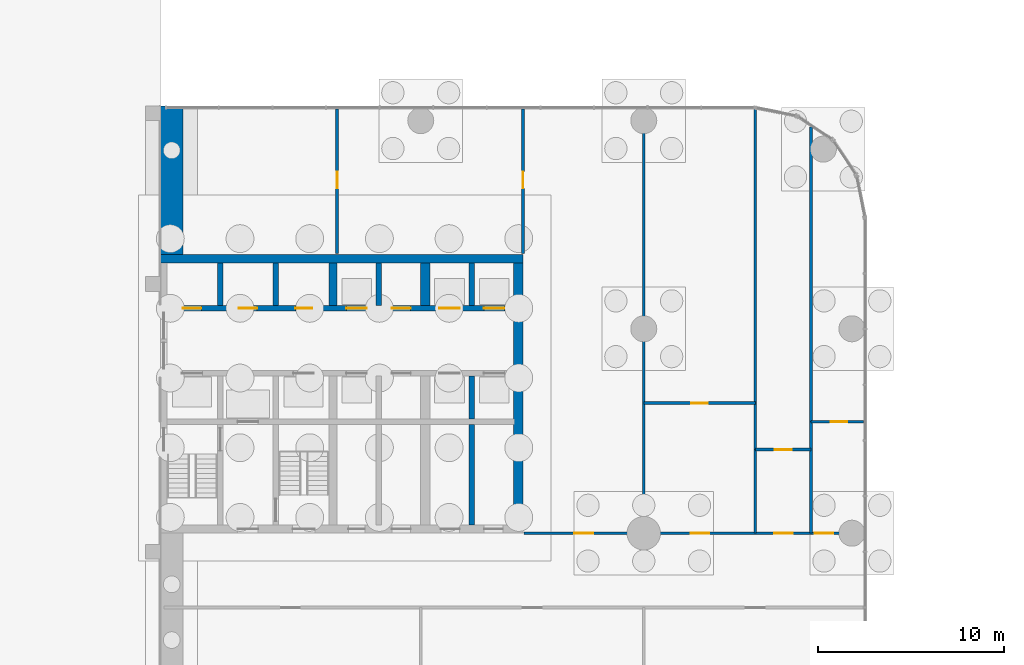
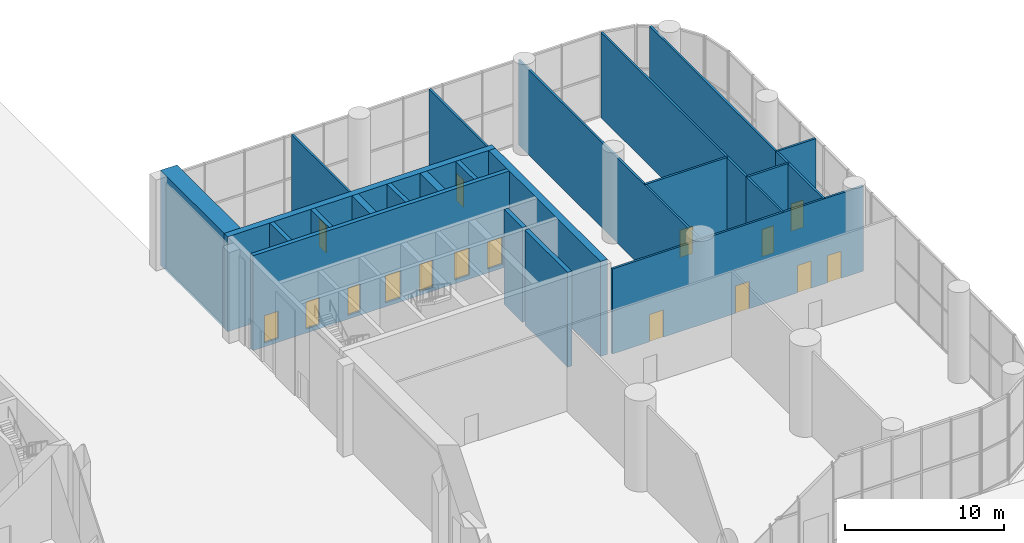
# One storey, part 21 of 26: 23 walls, 16 doors, 16 openings.
"""IFC4 building model written with IfcOpenShell, lengths in metres."""

import ifcopenshell
import ifcopenshell.guid

model = None  # the IFC model being written
_history = None  # IfcOwnerHistory: only IFC2X3 demands one
_inside = {}  # id of a spatial element -> (the spatial element, [elements in it])
_under = {}  # id of a project, library or spatial element -> (it, [spatial elements below it])
_declared = {}  # id of a project -> (the project, [libraries it declares])
_typed = {}  # id of a type object -> (the type object, [elements of that type])
_made_of = {}  # id of a material, layer set ... -> (it, [elements and type objects made of it])


def new_model(schema):
    """Start an empty IFC model of exactly this schema.

    Asked for "IFC4X3", IfcOpenShell would pick the latest addendum, in which some entities
    have other attributes; the version numbers below select the first issue.
    IFC2X3 requires an IfcOwnerHistory on every rooted entity: one is made here for all.
    """
    global model, _history
    if schema == "IFC4X3":
        model = ifcopenshell.file(schema_version=(4, 3, 0, 0))
    else:
        model = ifcopenshell.file(schema=schema)
    _inside.clear()
    _under.clear()
    _declared.clear()
    _typed.clear()
    _made_of.clear()
    _history = None
    if model.schema == "IFC2X3":
        org = make("IfcOrganization", Name="unknown")
        user = make(
            "IfcPersonAndOrganization",
            ThePerson=make("IfcPerson", FamilyName="unknown"),
            TheOrganization=org,
        )
        app = make(
            "IfcApplication",
            ApplicationDeveloper=org,
            Version="unknown",
            ApplicationFullName="unknown",
            ApplicationIdentifier="unknown",
        )
        _history = make(
            "IfcOwnerHistory",
            OwningUser=user,
            OwningApplication=app,
            ChangeAction="ADDED",
            CreationDate=0,
        )
    return model


def make(cls, **values):
    """One entity of the class cls with the attributes given. An attribute that is None is left unset."""
    return model.create_entity(
        cls, **{name: value for name, value in values.items() if value is not None}
    )


def rooted(cls, **values):
    """An entity with a GlobalId (a new one), such as an element, a storey or a relation."""
    return make(cls, GlobalId=ifcopenshell.guid.new(), OwnerHistory=_history, **values)


def si_unit(unit_type, name, prefix=None):
    """IfcSIUnit, for example si_unit("LENGTHUNIT", "METRE", prefix="MILLI")."""
    return make("IfcSIUnit", UnitType=unit_type, Prefix=prefix, Name=name)


def assignment(units):
    """IfcUnitAssignment: the units of a project."""
    return None if units is None else make("IfcUnitAssignment", Units=units)


def point(xyz):
    """IfcCartesianPoint."""
    return None if xyz is None else make("IfcCartesianPoint", Coordinates=xyz)


def direction(xyz):
    """IfcDirection."""
    return None if xyz is None else make("IfcDirection", DirectionRatios=xyz)


def frame(location, z_axis=None, x_axis=None):
    """IfcAxis2Placement3D, a coordinate frame: its origin and axes. An axis left out is left unset."""
    return make(
        "IfcAxis2Placement3D",
        Location=point(location),
        Axis=direction(z_axis),
        RefDirection=direction(x_axis),
    )


def frame_2d(location, x_axis=None):
    """IfcAxis2Placement2D, a coordinate frame in the plane: its origin and x axis."""
    return make(
        "IfcAxis2Placement2D", Location=point(location), RefDirection=direction(x_axis)
    )


def origin():
    """The frame at (0, 0, 0) with its axes left unset."""
    return frame((0.0, 0.0, 0.0))


def place(relative_to, where):
    """IfcLocalPlacement: puts the frame where relative to a parent placement (None: the world)."""
    return make(
        "IfcLocalPlacement", PlacementRelTo=relative_to, RelativePlacement=where
    )


def context(
    kind, dimensions, precision=None, world=None, true_north=None, identifier=None
):
    """IfcGeometricRepresentationContext, for example the 3D "Model" context."""
    return make(
        "IfcGeometricRepresentationContext",
        ContextIdentifier=identifier,
        ContextType=kind,
        CoordinateSpaceDimension=dimensions,
        Precision=precision,
        WorldCoordinateSystem=world,
        TrueNorth=true_north,
    )


def subcontext(parent, identifier, kind, view, scale=None):
    """IfcGeometricRepresentationSubContext, for example "Body" below "Model"."""
    return make(
        "IfcGeometricRepresentationSubContext",
        ContextIdentifier=identifier,
        ContextType=kind,
        ParentContext=parent,
        TargetScale=scale,
        TargetView=view,
    )


def project(units=None, contexts=None):
    """IfcProject with its units and contexts."""
    return rooted(
        "IfcProject",
        Name="project",
        RepresentationContexts=contexts,
        UnitsInContext=assignment(units),
    )


def spatial(cls, under=None, at=None, **own):
    """A site, building, storey or space (cls), placed at a placement, below another one or the project."""
    s = rooted(cls, ObjectPlacement=at, **own)
    if under is not None:
        _under.setdefault(under.id(), (under, []))[1].append(s)
    return s


def profile(cls, at=None, kind="AREA", **sizes):
    """A parametric profile (cls). Its sizes go by their IFC names, for example OverallWidth=200.0."""
    return make(cls, ProfileType=kind, Position=at, **sizes)


def rectangle(**sizes):
    """IfcRectangleProfileDef."""
    return profile("IfcRectangleProfileDef", **sizes)


def extrude(swept, where, along, depth):
    """IfcExtrudedAreaSolid: the profile swept, set in the frame where, extruded along a direction by depth."""
    return make(
        "IfcExtrudedAreaSolid",
        SweptArea=swept,
        Position=where,
        ExtrudedDirection=direction(along),
        Depth=depth,
    )


def shape(context_of_items, identifier, shape_type, items):
    """IfcShapeRepresentation: the items that make up one representation, for example the "Body"."""
    return make(
        "IfcShapeRepresentation",
        ContextOfItems=context_of_items,
        RepresentationIdentifier=identifier,
        RepresentationType=shape_type,
        Items=items,
    )


def material(Name=None, Category=None):
    """IfcMaterial."""
    return make("IfcMaterial", Name=Name, Category=Category)


def layer(
    of_material, thickness, ventilated=None, Name=None, Category=None, Priority=None
):
    """IfcMaterialLayer: one layer of a wall or slab, of a material (None: an air gap)."""
    return make(
        "IfcMaterialLayer",
        Material=of_material,
        LayerThickness=thickness,
        IsVentilated=ventilated,
        Name=Name,
        Category=Category,
        Priority=Priority,
    )


def layer_set(layers, Name=None):
    """IfcMaterialLayerSet."""
    return make("IfcMaterialLayerSet", MaterialLayers=layers, LayerSetName=Name)


def made_of(thing, what):
    """Note that an element or type object is made of a material, layer set ...; save() writes the relation."""
    if what is not None:
        _made_of.setdefault(what.id(), (what, []))[1].append(thing)
    return thing


def type_object(cls, material=None, **own):
    """A type object (cls), such as IfcWallType, which elements share."""
    return made_of(rooted(cls, **own), material)


def element(
    cls,
    number,
    at=None,
    inside=None,
    cuts=None,
    type_object=None,
    material=None,
    context=None,
    identifier="Body",
    shape_type=None,
    held_by="IfcProductDefinitionShape",
    body=None,
    shapes=None,
    **own,
):
    """One element of the class cls, such as IfcWall. Its Tag is "e" and its number.

    at: its placement. inside: the storey or other place that contains it. cuts: it is an
    opening in that element (IfcRelVoidsElement). A single representation is given by context,
    identifier, shape_type and body (its items); several are given by shapes. held_by: the class
    of the entity that holds the representations. save() writes the other relations.
    """
    e = rooted(cls, Tag="e%d" % number, ObjectPlacement=at, **own)
    if body is not None:
        shapes = [shape(context, identifier, shape_type, body)]
    if shapes is not None:
        e.Representation = make(held_by, Representations=shapes)
    if inside is not None:
        _inside.setdefault(inside.id(), (inside, []))[1].append(e)
    if cuts is not None:
        rooted(
            "IfcRelVoidsElement", RelatingBuildingElement=cuts, RelatedOpeningElement=e
        )
    if type_object is not None:
        _typed.setdefault(type_object.id(), (type_object, []))[1].append(e)
    return made_of(e, material)


def fill(opening, filler):
    """IfcRelFillsElement: the door or window that sits in an opening."""
    return rooted(
        "IfcRelFillsElement",
        RelatingOpeningElement=opening,
        RelatedBuildingElement=filler,
    )


def aggregate(whole, parts):
    """IfcRelAggregates: a whole, such as a stair, and the parts it consists of."""
    return rooted("IfcRelAggregates", RelatingObject=whole, RelatedObjects=parts)


def save(model, path):
    """Write the relations noted so far, then the file.

    IfcRelAggregates (storeys below a building ...), IfcRelContainedInSpatialStructure (elements
    in a storey), IfcRelDefinesByType, IfcRelAssociatesMaterial and IfcRelDeclares: one each for
    every whole, place, type object, material and project.
    """
    for whole, parts in _under.values():
        aggregate(whole, parts)
    for where, things in _inside.values():
        rooted(
            "IfcRelContainedInSpatialStructure",
            RelatedElements=things,
            RelatingStructure=where,
        )
    for kind, things in _typed.values():
        rooted("IfcRelDefinesByType", RelatedObjects=things, RelatingType=kind)
    for what, things in _made_of.values():
        rooted("IfcRelAssociatesMaterial", RelatedObjects=things, RelatingMaterial=what)
    for by, libraries in _declared.values():
        rooted("IfcRelDeclares", RelatingContext=by, RelatedDefinitions=libraries)
    model.write(path)


model = new_model("IFC4")

# Units and contexts
model_context = context("Model", 3, precision=1e-05, world=origin(), true_north=direction((0.0, 1.0)))
body_context = subcontext(model_context, "Body", "Model", "MODEL_VIEW")
ifc_project = project(units=[si_unit("LENGTHUNIT", "METRE"), si_unit("AREAUNIT", "SQUARE_METRE"), si_unit("VOLUMEUNIT", "CUBIC_METRE"), si_unit("PLANEANGLEUNIT", "RADIAN"), si_unit("MASSUNIT", "GRAM", prefix="KILO")], contexts=[model_context])

# Site, building, storey
site_placement = place(None, origin())
site = spatial("IfcSite", under=ifc_project, at=site_placement, CompositionType="ELEMENT")
building_placement = place(site_placement, origin())
building = spatial("IfcBuilding", under=site, at=building_placement, Name="Torana Hotel and Residences", CompositionType="ELEMENT")
storey_placement = place(building_placement, origin())
storey = spatial("IfcBuildingStorey", under=building, at=storey_placement, Name="L00", CompositionType="ELEMENT", Elevation=0.0)

# Wall
ifc_material_1 = material(Name="Concrete C70/85", Category="concrete")
ifc_layer_1 = layer(ifc_material_1, 1.199951171875)
ifc_layer_set_1 = layer_set([ifc_layer_1], Name="CORE WALL 1200 C70/85")
wall_type_1 = type_object("IfcWallType", Name="CORE WALL 1200 C70/85", PredefinedType="SHEAR", material=ifc_layer_set_1)
wall_1_placement = place(storey_placement, frame((10.60009765625, 0.0, -0.300048828125), z_axis=(0.0, 0.0, 1.0), x_axis=(0.0, 1.0, 0.0)))
element("IfcWall", 1, at=wall_1_placement, inside=storey, type_object=wall_type_1, Name="Arch jamb wall E", PredefinedType="SHEAR", context=body_context, shape_type="SweptSolid", body=[
    extrude(rectangle(XDim=8.0, YDim=1.199951171875, at=frame_2d((4.0, 0.0))), origin(), (0.0, 0.0, 1.0), 7.300048828125),
])

# Wall, openings, doors
ifc_material_2 = material(Name="Concrete C80/95", Category="concrete")
ifc_layer_2 = layer(ifc_material_2, 0.300048828125)
ifc_layer_set_2 = layer_set([ifc_layer_2], Name="CORE WALL 300 C80/95")
wall_type_2 = type_object("IfcWallType", Name="CORE WALL 300 C80/95", PredefinedType="SHEAR", material=ifc_layer_set_2)
wall_2_placement = place(storey_placement, frame((10.35009765625, -2.89990234375, -0.300048828125), z_axis=(0.0, 0.0, 1.0), x_axis=(1.0, 0.0, 0.0)))
wall_2 = element("IfcWall", 2, at=wall_2_placement, inside=storey, type_object=wall_type_2, Name="Core wall E row-N", PredefinedType="SHEAR", context=body_context, shape_type="SweptSolid", body=[
    extrude(rectangle(XDim=18.699951171875, YDim=0.300048828125, at=frame_2d((9.35009765625, 0.0))), origin(), (0.0, 0.0, 1.0), 7.300048828125),
])
opening_1_placement = place(wall_2_placement, frame((14.64990234375, 0.0, 0.300048828125)))
opening_1 = element("IfcOpeningElement", 3, at=opening_1_placement, cuts=wall_2, Name="Opening LD", PredefinedType="OPENING", context=body_context, shape_type="SweptSolid", body=[
    extrude(rectangle(XDim=1.10009765625, YDim=2.10009765625, at=frame_2d((0.550048828125, 1.050048828125))), frame((0.0, 0.159912109375, 0.0), z_axis=(0.0, -1.0, 0.0), x_axis=(1.0, 0.0, 0.0)), (0.0, 0.0, 1.0), 0.320068359375),
])
opening_2_placement = place(wall_2_placement, frame((17.050048828125, 0.0, 0.300048828125)))
opening_2 = element("IfcOpeningElement", 4, at=opening_2_placement, cuts=wall_2, Name="Opening LD", PredefinedType="OPENING", context=body_context, shape_type="SweptSolid", body=[
    extrude(rectangle(XDim=1.10009765625, YDim=2.10009765625, at=frame_2d((0.550048828125, 1.050048828125))), frame((0.0, 0.159912109375, 0.0), z_axis=(0.0, -1.0, 0.0), x_axis=(1.0, 0.0, 0.0)), (0.0, 0.0, 1.0), 0.320068359375),
])
opening_3_placement = place(wall_2_placement, frame((9.64990234375, 0.0, 0.300048828125)))
opening_3 = element("IfcOpeningElement", 5, at=opening_3_placement, cuts=wall_2, Name="Opening LD", PredefinedType="OPENING", context=body_context, shape_type="SweptSolid", body=[
    extrude(rectangle(XDim=1.10009765625, YDim=2.10009765625, at=frame_2d((0.550048828125, 1.050048828125))), frame((0.0, 0.159912109375, 0.0), z_axis=(0.0, -1.0, 0.0), x_axis=(1.0, 0.0, 0.0)), (0.0, 0.0, 1.0), 0.320068359375),
])
opening_4_placement = place(wall_2_placement, frame((6.89990234375, 0.0, 0.300048828125)))
opening_4 = element("IfcOpeningElement", 6, at=opening_4_placement, cuts=wall_2, Name="Opening L00-26", PredefinedType="OPENING", context=body_context, shape_type="SweptSolid", body=[
    extrude(rectangle(XDim=0.89990234375, YDim=2.10009765625, at=frame_2d((0.449951171875, 1.050048828125))), frame((0.0, 0.159912109375, 0.0), z_axis=(0.0, -1.0, 0.0), x_axis=(1.0, 0.0, 0.0)), (0.0, 0.0, 1.0), 0.320068359375),
])
opening_5_placement = place(wall_2_placement, frame((0.85009765625, 0.0, 0.300048828125)))
opening_5 = element("IfcOpeningElement", 7, at=opening_5_placement, cuts=wall_2, Name="Opening L00-27", PredefinedType="OPENING", context=body_context, shape_type="SweptSolid", body=[
    extrude(rectangle(XDim=1.0, YDim=2.10009765625, at=frame_2d((0.5, 1.050048828125))), frame((0.0, 0.159912109375, 0.0), z_axis=(0.0, -1.0, 0.0), x_axis=(1.0, 0.0, 0.0)), (0.0, 0.0, 1.0), 0.320068359375),
])
opening_6_placement = place(wall_2_placement, frame((3.85009765625, 0.0, 0.300048828125)))
opening_6 = element("IfcOpeningElement", 8, at=opening_6_placement, cuts=wall_2, Name="Opening L00-28", PredefinedType="OPENING", context=body_context, shape_type="SweptSolid", body=[
    extrude(rectangle(XDim=1.0, YDim=2.10009765625, at=frame_2d((0.5, 1.050048828125))), frame((0.0, 0.159912109375, 0.0), z_axis=(0.0, -1.0, 0.0), x_axis=(1.0, 0.0, 0.0)), (0.0, 0.0, 1.0), 0.320068359375),
])
opening_7_placement = place(wall_2_placement, frame((12.10009765625, 0.0, 0.300048828125)))
opening_7 = element("IfcOpeningElement", 9, at=opening_7_placement, cuts=wall_2, Name="Opening L00-29", PredefinedType="OPENING", context=body_context, shape_type="SweptSolid", body=[
    extrude(rectangle(XDim=1.0, YDim=2.10009765625, at=frame_2d((0.5, 1.050048828125))), frame((0.0, 0.159912109375, 0.0), z_axis=(0.0, -1.0, 0.0), x_axis=(1.0, 0.0, 0.0)), (0.0, 0.0, 1.0), 0.320068359375),
])
ifc_material_3 = material(Name="Steel S235", Category="steel")
door_type_1 = type_object("IfcDoorType", Name="CORE ROOM FIRE DOOR D14 1000x2100", OperationType="SINGLE_SWING_LEFT", PredefinedType="DOOR", material=ifc_material_3)
door_1_placement = place(opening_5_placement, origin())
door_1 = element("IfcDoor", 10, at=door_1_placement, inside=storey, type_object=door_type_1, Name="N0 door L00", OperationType="SINGLE_SWING_RIGHT", OverallHeight=2.10009765625, OverallWidth=1.0, PredefinedType="DOOR", context=body_context, shape_type="SweptSolid", body=[
    extrude(rectangle(XDim=1.0, YDim=2.10009765625, at=frame_2d((0.5, 1.050048828125))), frame((0.0, 0.02490234375, 0.0), z_axis=(0.0, -1.0, 0.0), x_axis=(1.0, 0.0, 0.0)), (0.0, 0.0, 1.0), 0.050048828125),
])
fill(opening_5, door_1)
door_2_placement = place(opening_6_placement, origin())
door_2 = element("IfcDoor", 11, at=door_2_placement, inside=storey, type_object=door_type_1, Name="N1 door L00", OperationType="SINGLE_SWING_RIGHT", OverallHeight=2.10009765625, OverallWidth=1.0, PredefinedType="DOOR", context=body_context, shape_type="SweptSolid", body=[
    extrude(rectangle(XDim=1.0, YDim=2.10009765625, at=frame_2d((0.5, 1.050048828125))), frame((0.0, 0.02490234375, 0.0), z_axis=(0.0, -1.0, 0.0), x_axis=(1.0, 0.0, 0.0)), (0.0, 0.0, 1.0), 0.050048828125),
])
fill(opening_6, door_2)
door_3_placement = place(opening_7_placement, origin())
door_3 = element("IfcDoor", 12, at=door_3_placement, inside=storey, type_object=door_type_1, Name="Free-M3 door L00", OperationType="SINGLE_SWING_RIGHT", OverallHeight=2.10009765625, OverallWidth=1.0, PredefinedType="DOOR", context=body_context, shape_type="SweptSolid", body=[
    extrude(rectangle(XDim=1.0, YDim=2.10009765625, at=frame_2d((0.5, 1.050048828125))), frame((0.0, 0.02490234375, 0.0), z_axis=(0.0, -1.0, 0.0), x_axis=(1.0, 0.0, 0.0)), (0.0, 0.0, 1.0), 0.050048828125),
])
fill(opening_7, door_3)
ifc_material_4 = material(Name="Stainless steel 316", Category="steel")
door_type_2 = type_object("IfcDoorType", Name="LIFT LANDING DOOR LD 1100x2100", OperationType="DOUBLE_DOOR_SLIDING", PredefinedType="USERDEFINED", material=ifc_material_4)
door_4_placement = place(opening_1_placement, origin())
door_4 = element("IfcDoor", 13, at=door_4_placement, inside=storey, type_object=door_type_2, Name="Lift landing door L5 L00", ObjectType="LIFT LANDING DOOR", OperationType="DOUBLE_DOOR_SLIDING", OverallHeight=2.10009765625, OverallWidth=1.10009765625, PredefinedType="USERDEFINED", context=body_context, shape_type="SweptSolid", body=[
    extrude(rectangle(XDim=1.10009765625, YDim=2.10009765625, at=frame_2d((0.550048828125, 1.050048828125))), frame((0.0, 0.02490234375, 0.0), z_axis=(0.0, -1.0, 0.0), x_axis=(1.0, 0.0, 0.0)), (0.0, 0.0, 1.0), 0.050048828125),
])
fill(opening_1, door_4)
door_5_placement = place(opening_2_placement, origin())
door_5 = element("IfcDoor", 14, at=door_5_placement, inside=storey, type_object=door_type_2, Name="Lift landing door L6 L00", ObjectType="LIFT LANDING DOOR", OperationType="DOUBLE_DOOR_SLIDING", OverallHeight=2.10009765625, OverallWidth=1.10009765625, PredefinedType="USERDEFINED", context=body_context, shape_type="SweptSolid", body=[
    extrude(rectangle(XDim=1.10009765625, YDim=2.10009765625, at=frame_2d((0.550048828125, 1.050048828125))), frame((0.0, 0.02490234375, 0.0), z_axis=(0.0, -1.0, 0.0), x_axis=(1.0, 0.0, 0.0)), (0.0, 0.0, 1.0), 0.050048828125),
])
fill(opening_2, door_5)
door_6_placement = place(opening_3_placement, origin())
door_6 = element("IfcDoor", 15, at=door_6_placement, inside=storey, type_object=door_type_2, Name="Lift landing door S2 L00", ObjectType="LIFT LANDING DOOR", OperationType="DOUBLE_DOOR_SLIDING", OverallHeight=2.10009765625, OverallWidth=1.10009765625, PredefinedType="USERDEFINED", context=body_context, shape_type="SweptSolid", body=[
    extrude(rectangle(XDim=1.10009765625, YDim=2.10009765625, at=frame_2d((0.550048828125, 1.050048828125))), frame((0.0, 0.02490234375, 0.0), z_axis=(0.0, -1.0, 0.0), x_axis=(1.0, 0.0, 0.0)), (0.0, 0.0, 1.0), 0.050048828125),
])
fill(opening_3, door_6)
ifc_material_5 = material(Name="Steel S235", Category="steel")
door_type_3 = type_object("IfcDoorType", Name="RISER ACCESS DOOR D5 900x2100", OperationType="SINGLE_SWING_LEFT", PredefinedType="DOOR", material=ifc_material_5)
door_7_placement = place(opening_4_placement, origin())
door_7 = element("IfcDoor", 16, at=door_7_placement, inside=storey, type_object=door_type_3, Name="N2 door L00", OperationType="SINGLE_SWING_RIGHT", OverallHeight=2.10009765625, OverallWidth=0.89990234375, PredefinedType="DOOR", context=body_context, shape_type="SweptSolid", body=[
    extrude(rectangle(XDim=0.89990234375, YDim=2.10009765625, at=frame_2d((0.449951171875, 1.050048828125))), frame((0.0, 0.02490234375, 0.0), z_axis=(0.0, -1.0, 0.0), x_axis=(1.0, 0.0, 0.0)), (0.0, 0.0, 1.0), 0.050048828125),
])
fill(opening_4, door_7)

# Walls
for number, where, z_axis, x_axis, name in (
    (17, (13.199951171875, -2.75, -0.300048828125), (0.0, 0.0, 1.0), (0.0, 1.0, 0.0), "Core wall E x3.05-N"),
    (18, (16.199951171875, -2.75, -0.300048828125), (0.0, 0.0, 1.0), (0.0, 1.0, 0.0), "Core wall E x6.05-N"),
    (19, (21.75, -2.75, -0.300048828125), (0.0, 0.0, 1.0), (0.0, 1.0, 0.0), "Core wall E mm-N"),
    (20, (26.75, -2.75, -0.300048828125), (0.0, 0.0, 1.0), (0.0, 1.0, 0.0), "Core wall E ll-N"),
    (21, (26.75, -8.85009765625, -0.300048828125), (0.0, 0.0, 1.0), (0.0, 1.0, 0.0), "Core wall E ll-S"),
):
    element("IfcWall", number, at=place(storey_placement, frame(where, z_axis=z_axis, x_axis=x_axis)), inside=storey, type_object=wall_type_2, Name=name, PredefinedType="SHEAR", context=body_context, shape_type="SweptSolid", body=[
        extrude(rectangle(XDim=2.300048828125, YDim=0.300048828125, at=frame_2d((1.14990234375, 0.0))), origin(), (0.0, 0.0, 1.0), 7.300048828125),
    ])
wall_3_placement = place(storey_placement, frame((26.75, -14.550048828125, -0.300048828125), z_axis=(0.0, 0.0, 1.0), x_axis=(0.0, 1.0, 0.0)))
element("IfcWall", 22, at=wall_3_placement, inside=storey, type_object=wall_type_2, Name="Core wall E ll-band", PredefinedType="SHEAR", context=body_context, shape_type="SweptSolid", body=[
    extrude(rectangle(XDim=5.400146484375, YDim=0.300048828125, at=frame_2d((2.7001953125, 0.0))), origin(), (0.0, 0.0, 1.0), 7.300048828125),
])
ifc_material_6 = material(Name="Concrete C80/95", Category="concrete")
ifc_layer_3 = layer(ifc_material_6, 0.449951171875)
ifc_layer_set_3 = layer_set([ifc_layer_3], Name="CORE WALL 450 C80/95")
wall_type_3 = type_object("IfcWallType", Name="CORE WALL 450 C80/95", PredefinedType="SHEAR", material=ifc_layer_set_3)
wall_4_placement = place(storey_placement, frame((10.0, -0.22509765625, -0.300048828125), z_axis=(0.0, 0.0, 1.0), x_axis=(1.0, 0.0, 0.0)))
element("IfcWall", 23, at=wall_4_placement, inside=storey, type_object=wall_type_3, Name="Core wall E rear", PredefinedType="SHEAR", context=body_context, shape_type="SweptSolid", body=[
    extrude(rectangle(XDim=19.5, YDim=0.449951171875, at=frame_2d((9.75, 0.0))), origin(), (0.0, 0.0, 1.0), 7.300048828125),
])
wall_5_placement = place(storey_placement, frame((19.27490234375, -2.75, -0.300048828125), z_axis=(0.0, 0.0, 1.0), x_axis=(0.0, 1.0, 0.0)))
element("IfcWall", 24, at=wall_5_placement, inside=storey, type_object=wall_type_3, Name="Core wall E hm-N", PredefinedType="SHEAR", context=body_context, shape_type="SweptSolid", body=[
    extrude(rectangle(XDim=2.300048828125, YDim=0.449951171875, at=frame_2d((1.14990234375, 0.0))), origin(), (0.0, 0.0, 1.0), 7.300048828125),
])
ifc_material_7 = material(Name="Concrete C80/95", Category="concrete")
ifc_layer_4 = layer(ifc_material_7, 0.5)
ifc_layer_set_4 = layer_set([ifc_layer_4], Name="CORE WALL 500 C80/95")
wall_type_4 = type_object("IfcWallType", Name="CORE WALL 500 C80/95", PredefinedType="SHEAR", material=ifc_layer_set_4)
wall_6_placement = place(storey_placement, frame((29.25, -14.550048828125, -0.300048828125), z_axis=(0.0, 0.0, 1.0), x_axis=(0.0, 1.0, 0.0)))
element("IfcWall", 25, at=wall_6_placement, inside=storey, type_object=wall_type_4, Name="Core wall E outer", PredefinedType="SHEAR", context=body_context, shape_type="SweptSolid", body=[
    extrude(rectangle(XDim=14.10009765625, YDim=0.5, at=frame_2d((7.050048828125, 0.0))), origin(), (0.0, 0.0, 1.0), 7.300048828125),
])
wall_7_placement = place(storey_placement, frame((24.25, -2.75, -0.300048828125), z_axis=(0.0, 0.0, 1.0), x_axis=(0.0, 1.0, 0.0)))
element("IfcWall", 26, at=wall_7_placement, inside=storey, type_object=wall_type_4, Name="Core wall E ml-N", PredefinedType="SHEAR", context=body_context, shape_type="SweptSolid", body=[
    extrude(rectangle(XDim=2.300048828125, YDim=0.5, at=frame_2d((1.14990234375, 0.0))), origin(), (0.0, 0.0, 1.0), 7.300048828125),
])

# Wall, openings, doors
ifc_material_8 = material(Name="Gypsum plaster")
ifc_layer_5 = layer(ifc_material_8, 0.014892578125, Name="Plaster", Category="finish")
ifc_material_9 = material(Name="Concrete blockwork", Category="masonry")
ifc_layer_6 = layer(ifc_material_9, 0.1201171875, Name="Blockwork", Category="structure")
ifc_layer_7 = layer(ifc_material_8, 0.014892578125, Name="Plaster", Category="finish")
ifc_layer_set_5 = layer_set([ifc_layer_5, ifc_layer_6, ifc_layer_7], Name="FIRE PARTITION 150 BLOCKWORK")
wall_type_5 = type_object("IfcWallType", Name="FIRE PARTITION 150 BLOCKWORK", PredefinedType="PARTITIONING", material=ifc_layer_set_5)
wall_8_placement = place(storey_placement, frame((29.550048828125, -15.0, 0.0), z_axis=(0.0, 0.0, 1.0), x_axis=(1.0, 0.0, 0.0)))
wall_8 = element("IfcWall", 27, at=wall_8_placement, inside=storey, type_object=wall_type_5, Name="Partition L00", PredefinedType="PARTITIONING", context=body_context, shape_type="SweptSolid", body=[
    extrude(rectangle(XDim=18.27001953125, YDim=0.14990234375, at=frame_2d((9.135009765625, 0.0))), origin(), (0.0, 0.0, 1.0), 6.550048828125),
])
opening_8_placement = place(wall_8_placement, frame((15.64990234375, 0.0, 0.0)))
opening_8 = element("IfcOpeningElement", 28, at=opening_8_placement, cuts=wall_8, Name="Opening L00-36", PredefinedType="OPENING", context=body_context, shape_type="SweptSolid", body=[
    extrude(rectangle(XDim=1.0, YDim=2.10009765625, at=frame_2d((0.5, 1.050048828125))), frame((0.0, 0.0849609375, 0.0), z_axis=(0.0, -1.0, 0.0), x_axis=(1.0, 0.0, 0.0)), (0.0, 0.0, 1.0), 0.169921875),
])
opening_9_placement = place(wall_8_placement, frame((13.469970703125, 0.0, 0.0)))
opening_9 = element("IfcOpeningElement", 29, at=opening_9_placement, cuts=wall_8, Name="Opening L00-37", PredefinedType="OPENING", context=body_context, shape_type="SweptSolid", body=[
    extrude(rectangle(XDim=1.0, YDim=2.10009765625, at=frame_2d((0.5, 1.050048828125))), frame((0.0, 0.0849609375, 0.0), z_axis=(0.0, -1.0, 0.0), x_axis=(1.0, 0.0, 0.0)), (0.0, 0.0, 1.0), 0.169921875),
])
opening_10_placement = place(wall_8_placement, frame((8.969970703125, 0.0, 0.0)))
opening_10 = element("IfcOpeningElement", 30, at=opening_10_placement, cuts=wall_8, Name="Opening L00-38", PredefinedType="OPENING", context=body_context, shape_type="SweptSolid", body=[
    extrude(rectangle(XDim=1.0, YDim=2.10009765625, at=frame_2d((0.5, 1.050048828125))), frame((0.0, 0.0849609375, 0.0), z_axis=(0.0, -1.0, 0.0), x_axis=(1.0, 0.0, 0.0)), (0.0, 0.0, 1.0), 0.169921875),
])
opening_11_placement = place(wall_8_placement, frame((2.719970703125, 0.0, 0.0)))
opening_11 = element("IfcOpeningElement", 31, at=opening_11_placement, cuts=wall_8, Name="Opening L00-39", PredefinedType="OPENING", context=body_context, shape_type="SweptSolid", body=[
    extrude(rectangle(XDim=1.0, YDim=2.10009765625, at=frame_2d((0.5, 1.050048828125))), frame((0.0, 0.0849609375, 0.0), z_axis=(0.0, -1.0, 0.0), x_axis=(1.0, 0.0, 0.0)), (0.0, 0.0, 1.0), 0.169921875),
])
door_8_placement = place(opening_8_placement, origin())
door_8 = element("IfcDoor", 32, at=door_8_placement, inside=storey, type_object=door_type_1, Name="Door L00", OperationType="SINGLE_SWING_RIGHT", OverallHeight=2.10009765625, OverallWidth=1.0, PredefinedType="DOOR", context=body_context, shape_type="SweptSolid", body=[
    extrude(rectangle(XDim=1.0, YDim=2.10009765625, at=frame_2d((0.5, 1.050048828125))), frame((0.0, 0.02490234375, 0.0), z_axis=(0.0, -1.0, 0.0), x_axis=(1.0, 0.0, 0.0)), (0.0, 0.0, 1.0), 0.050048828125),
])
fill(opening_8, door_8)
door_9_placement = place(opening_9_placement, origin())
door_9 = element("IfcDoor", 33, at=door_9_placement, inside=storey, type_object=door_type_1, Name="Door L00", OperationType="SINGLE_SWING_RIGHT", OverallHeight=2.10009765625, OverallWidth=1.0, PredefinedType="DOOR", context=body_context, shape_type="SweptSolid", body=[
    extrude(rectangle(XDim=1.0, YDim=2.10009765625, at=frame_2d((0.5, 1.050048828125))), frame((0.0, 0.02490234375, 0.0), z_axis=(0.0, -1.0, 0.0), x_axis=(1.0, 0.0, 0.0)), (0.0, 0.0, 1.0), 0.050048828125),
])
fill(opening_9, door_9)
door_10_placement = place(opening_10_placement, origin())
door_10 = element("IfcDoor", 34, at=door_10_placement, inside=storey, type_object=door_type_1, Name="Door L00", OperationType="SINGLE_SWING_RIGHT", OverallHeight=2.10009765625, OverallWidth=1.0, PredefinedType="DOOR", context=body_context, shape_type="SweptSolid", body=[
    extrude(rectangle(XDim=1.0, YDim=2.10009765625, at=frame_2d((0.5, 1.050048828125))), frame((0.0, 0.02490234375, 0.0), z_axis=(0.0, -1.0, 0.0), x_axis=(1.0, 0.0, 0.0)), (0.0, 0.0, 1.0), 0.050048828125),
])
fill(opening_10, door_10)
door_11_placement = place(opening_11_placement, origin())
door_11 = element("IfcDoor", 35, at=door_11_placement, inside=storey, type_object=door_type_1, Name="Door L00", OperationType="SINGLE_SWING_RIGHT", OverallHeight=2.10009765625, OverallWidth=1.0, PredefinedType="DOOR", context=body_context, shape_type="SweptSolid", body=[
    extrude(rectangle(XDim=1.0, YDim=2.10009765625, at=frame_2d((0.5, 1.050048828125))), frame((0.0, 0.02490234375, 0.0), z_axis=(0.0, -1.0, 0.0), x_axis=(1.0, 0.0, 0.0)), (0.0, 0.0, 1.0), 0.050048828125),
])
fill(opening_11, door_11)

# Walls
ifc_material_10 = material(Name="Gypsum plasterboard")
ifc_layer_8 = layer(ifc_material_10, 0.012451171875, Name="Plasterboard", Category="finish")
ifc_layer_9 = layer(ifc_material_10, 0.012451171875, Name="Plasterboard", Category="finish")
ifc_material_11 = material(Name="Steel S280GD", Category="steel")
ifc_layer_10 = layer(ifc_material_11, 0.10009765625, Name="Steel studs with mineral wool", Category="insulation")
ifc_layer_11 = layer(ifc_material_10, 0.012451171875, Name="Plasterboard", Category="finish")
ifc_layer_12 = layer(ifc_material_10, 0.012451171875, Name="Plasterboard", Category="finish")
ifc_layer_set_6 = layer_set([ifc_layer_8, ifc_layer_9, ifc_layer_10, ifc_layer_11, ifc_layer_12], Name="PARTITION 150 PLASTERBOARD")
wall_type_6 = type_object("IfcWallType", Name="PARTITION 150 PLASTERBOARD", PredefinedType="PARTITIONING", material=ifc_layer_set_6)
wall_9_placement = place(storey_placement, frame((45.0, -9.0, 0.0), z_axis=(0.0, 0.0, 1.0), x_axis=(0.0, 1.0, 0.0)))
element("IfcWall", 36, at=wall_9_placement, inside=storey, type_object=wall_type_6, Name="Partition L00", PredefinedType="PARTITIONING", context=body_context, shape_type="SweptSolid", body=[
    extrude(rectangle(XDim=15.8564453125, YDim=0.14990234375, at=frame_2d((7.92822265625, 0.0))), origin(), (0.0, 0.0, 1.0), 6.550048828125),
])
wall_10_placement = place(storey_placement, frame((42.0, -10.5, 0.0), z_axis=(0.0, 0.0, 1.0), x_axis=(0.0, 1.0, 0.0)))
element("IfcWall", 37, at=wall_10_placement, inside=storey, type_object=wall_type_6, Name="Partition L00", PredefinedType="PARTITIONING", context=body_context, shape_type="SweptSolid", body=[
    extrude(rectangle(XDim=18.31640625, YDim=0.14990234375, at=frame_2d((9.158203125, 0.0))), origin(), (0.0, 0.0, 1.0), 6.550048828125),
])
wall_11_placement = place(storey_placement, frame((36.0, -15.0, 0.0), z_axis=(0.0, 0.0, 1.0), x_axis=(0.0, 1.0, 0.0)))
element("IfcWall", 38, at=wall_11_placement, inside=storey, type_object=wall_type_6, Name="Partition L00", PredefinedType="PARTITIONING", context=body_context, shape_type="SweptSolid", body=[
    extrude(rectangle(XDim=22.820068359375, YDim=0.14990234375, at=frame_2d((11.41015625, 0.0))), origin(), (0.0, 0.0, 1.0), 6.550048828125),
])

# Wall, opening, door
wall_12_placement = place(storey_placement, frame((29.5, 0.050048828125, 0.0), z_axis=(0.0, 0.0, 1.0), x_axis=(0.0, 1.0, 0.0)))
wall_12 = element("IfcWall", 39, at=wall_12_placement, inside=storey, type_object=wall_type_6, Name="Partition L00", PredefinedType="PARTITIONING", context=body_context, shape_type="SweptSolid", body=[
    extrude(rectangle(XDim=7.77001953125, YDim=0.14990234375, at=frame_2d((3.885009765625, 0.0))), origin(), (0.0, 0.0, 1.0), 6.550048828125),
])
opening_12_placement = place(wall_12_placement, frame((3.5, 0.0, 0.0)))
opening_12 = element("IfcOpeningElement", 40, at=opening_12_placement, cuts=wall_12, Name="Opening L00-43", PredefinedType="OPENING", context=body_context, shape_type="SweptSolid", body=[
    extrude(rectangle(XDim=0.89990234375, YDim=2.10009765625, at=frame_2d((0.449951171875, 1.050048828125))), frame((0.0, 0.0849609375, 0.0), z_axis=(0.0, -1.0, 0.0), x_axis=(1.0, 0.0, 0.0)), (0.0, 0.0, 1.0), 0.169921875),
])
ifc_material_12 = material(Name="Timber door, oiled ash", Category="wood")
door_type_4 = type_object("IfcDoorType", Name="ROOM DOOR D7 900x2100", OperationType="SINGLE_SWING_LEFT", PredefinedType="DOOR", material=ifc_material_12)
door_12_placement = place(opening_12_placement, origin())
door_12 = element("IfcDoor", 41, at=door_12_placement, inside=storey, type_object=door_type_4, Name="Door L00", OperationType="SINGLE_SWING_RIGHT", OverallHeight=2.10009765625, OverallWidth=0.89990234375, PredefinedType="DOOR", context=body_context, shape_type="SweptSolid", body=[
    extrude(rectangle(XDim=0.89990234375, YDim=2.10009765625, at=frame_2d((0.449951171875, 1.050048828125))), frame((0.0, 0.02490234375, 0.0), z_axis=(0.0, -1.0, 0.0), x_axis=(1.0, 0.0, 0.0)), (0.0, 0.0, 1.0), 0.050048828125),
])
fill(opening_12, door_12)

wall_13_placement = place(storey_placement, frame((19.5, 0.050048828125, 0.0), z_axis=(0.0, 0.0, 1.0), x_axis=(0.0, 1.0, 0.0)))
wall_13 = element("IfcWall", 42, at=wall_13_placement, inside=storey, type_object=wall_type_6, Name="Partition L00", PredefinedType="PARTITIONING", context=body_context, shape_type="SweptSolid", body=[
    extrude(rectangle(XDim=7.77001953125, YDim=0.14990234375, at=frame_2d((3.885009765625, 0.0))), origin(), (0.0, 0.0, 1.0), 6.550048828125),
])
opening_13_placement = place(wall_13_placement, frame((3.5, 0.0, 0.0)))
opening_13 = element("IfcOpeningElement", 43, at=opening_13_placement, cuts=wall_13, Name="Opening L00-44", PredefinedType="OPENING", context=body_context, shape_type="SweptSolid", body=[
    extrude(rectangle(XDim=0.89990234375, YDim=2.10009765625, at=frame_2d((0.449951171875, 1.050048828125))), frame((0.0, 0.0849609375, 0.0), z_axis=(0.0, -1.0, 0.0), x_axis=(1.0, 0.0, 0.0)), (0.0, 0.0, 1.0), 0.169921875),
])
door_13_placement = place(opening_13_placement, origin())
door_13 = element("IfcDoor", 44, at=door_13_placement, inside=storey, type_object=door_type_4, Name="Door L00", OperationType="SINGLE_SWING_RIGHT", OverallHeight=2.10009765625, OverallWidth=0.89990234375, PredefinedType="DOOR", context=body_context, shape_type="SweptSolid", body=[
    extrude(rectangle(XDim=0.89990234375, YDim=2.10009765625, at=frame_2d((0.449951171875, 1.050048828125))), frame((0.0, 0.02490234375, 0.0), z_axis=(0.0, -1.0, 0.0), x_axis=(1.0, 0.0, 0.0)), (0.0, 0.0, 1.0), 0.050048828125),
])
fill(opening_13, door_13)

wall_14_placement = place(storey_placement, frame((36.0, -8.0, 0.0), z_axis=(0.0, 0.0, 1.0), x_axis=(1.0, 0.0, 0.0)))
wall_14 = element("IfcWall", 45, at=wall_14_placement, inside=storey, type_object=wall_type_6, Name="Partition L00", PredefinedType="PARTITIONING", context=body_context, shape_type="SweptSolid", body=[
    extrude(rectangle(XDim=6.0, YDim=0.14990234375, at=frame_2d((3.0, 0.0))), origin(), (0.0, 0.0, 1.0), 6.550048828125),
])
opening_14_placement = place(wall_14_placement, frame((2.550048828125, 0.0, 0.0)))
opening_14 = element("IfcOpeningElement", 46, at=opening_14_placement, cuts=wall_14, Name="Opening L00-42", PredefinedType="OPENING", context=body_context, shape_type="SweptSolid", body=[
    extrude(rectangle(XDim=0.89990234375, YDim=2.10009765625, at=frame_2d((0.449951171875, 1.050048828125))), frame((0.0, 0.0849609375, 0.0), z_axis=(0.0, -1.0, 0.0), x_axis=(1.0, 0.0, 0.0)), (0.0, 0.0, 1.0), 0.169921875),
])
door_14_placement = place(opening_14_placement, origin())
door_14 = element("IfcDoor", 47, at=door_14_placement, inside=storey, type_object=door_type_4, Name="Door L00", OperationType="SINGLE_SWING_RIGHT", OverallHeight=2.10009765625, OverallWidth=0.89990234375, PredefinedType="DOOR", context=body_context, shape_type="SweptSolid", body=[
    extrude(rectangle(XDim=0.89990234375, YDim=2.10009765625, at=frame_2d((0.449951171875, 1.050048828125))), frame((0.0, 0.02490234375, 0.0), z_axis=(0.0, -1.0, 0.0), x_axis=(1.0, 0.0, 0.0)), (0.0, 0.0, 1.0), 0.050048828125),
])
fill(opening_14, door_14)

# Walls
ifc_material_13 = material(Name="Ceramic tile on adhesive")
ifc_layer_13 = layer(ifc_material_13, 0.010009765625, Name="Wall tile", Category="finish")
ifc_material_14 = material(Name="Cement render")
ifc_layer_14 = layer(ifc_material_14, 0.010009765625, Name="Render", Category="finish")
ifc_layer_15 = layer(ifc_material_9, 0.110107421875, Name="Blockwork", Category="structure")
ifc_layer_16 = layer(ifc_material_14, 0.010009765625, Name="Render", Category="finish")
ifc_layer_17 = layer(ifc_material_13, 0.010009765625, Name="Wall tile", Category="finish")
ifc_layer_set_7 = layer_set([ifc_layer_13, ifc_layer_14, ifc_layer_15, ifc_layer_16, ifc_layer_17], Name="WC PARTITION 150")
wall_type_7 = type_object("IfcWallType", Name="WC PARTITION 150", PredefinedType="PLUMBINGWALL", material=ifc_layer_set_7)
wall_15_placement = place(storey_placement, frame((45.0, -15.0, 0.0), z_axis=(0.0, 0.0, 1.0), x_axis=(0.0, 1.0, 0.0)))
element("IfcWall", 48, at=wall_15_placement, inside=storey, type_object=wall_type_7, Name="Partition L00", PredefinedType="PLUMBINGWALL", context=body_context, shape_type="SweptSolid", body=[
    extrude(rectangle(XDim=6.0, YDim=0.14990234375, at=frame_2d((3.0, 0.0))), origin(), (0.0, 0.0, 1.0), 6.550048828125),
])
wall_16_placement = place(storey_placement, frame((42.0, -15.0, 0.0), z_axis=(0.0, 0.0, 1.0), x_axis=(0.0, 1.0, 0.0)))
element("IfcWall", 49, at=wall_16_placement, inside=storey, type_object=wall_type_7, Name="Partition L00", PredefinedType="PLUMBINGWALL", context=body_context, shape_type="SweptSolid", body=[
    extrude(rectangle(XDim=4.5, YDim=0.14990234375, at=frame_2d((2.25, 0.0))), origin(), (0.0, 0.0, 1.0), 6.550048828125),
])

# Wall, opening, door
wall_17_placement = place(storey_placement, frame((42.0, -10.5, 0.0), z_axis=(0.0, 0.0, 1.0), x_axis=(1.0, 0.0, 0.0)))
wall_17 = element("IfcWall", 50, at=wall_17_placement, inside=storey, type_object=wall_type_7, Name="Partition L00", PredefinedType="PLUMBINGWALL", context=body_context, shape_type="SweptSolid", body=[
    extrude(rectangle(XDim=3.0, YDim=0.14990234375, at=frame_2d((1.5, 0.0))), origin(), (0.0, 0.0, 1.0), 6.550048828125),
])
opening_15_placement = place(wall_17_placement, frame((1.050048828125, 0.0, 0.0)))
opening_15 = element("IfcOpeningElement", 51, at=opening_15_placement, cuts=wall_17, Name="Opening L00-41", PredefinedType="OPENING", context=body_context, shape_type="SweptSolid", body=[
    extrude(rectangle(XDim=0.89990234375, YDim=2.10009765625, at=frame_2d((0.449951171875, 1.050048828125))), frame((0.0, 0.0849609375, 0.0), z_axis=(0.0, -1.0, 0.0), x_axis=(1.0, 0.0, 0.0)), (0.0, 0.0, 1.0), 0.169921875),
])
door_15_placement = place(opening_15_placement, origin())
door_15 = element("IfcDoor", 52, at=door_15_placement, inside=storey, type_object=door_type_4, Name="Door L00", OperationType="SINGLE_SWING_RIGHT", OverallHeight=2.10009765625, OverallWidth=0.89990234375, PredefinedType="DOOR", context=body_context, shape_type="SweptSolid", body=[
    extrude(rectangle(XDim=0.89990234375, YDim=2.10009765625, at=frame_2d((0.449951171875, 1.050048828125))), frame((0.0, 0.02490234375, 0.0), z_axis=(0.0, -1.0, 0.0), x_axis=(1.0, 0.0, 0.0)), (0.0, 0.0, 1.0), 0.050048828125),
])
fill(opening_15, door_15)

wall_18_placement = place(storey_placement, frame((45.0, -9.0, 0.0), z_axis=(0.0, 0.0, 1.0), x_axis=(1.0, 0.0, 0.0)))
wall_18 = element("IfcWall", 53, at=wall_18_placement, inside=storey, type_object=wall_type_7, Name="Partition L00", PredefinedType="PLUMBINGWALL", context=body_context, shape_type="SweptSolid", body=[
    extrude(rectangle(XDim=2.820068359375, YDim=0.14990234375, at=frame_2d((1.41015625, 0.0))), origin(), (0.0, 0.0, 1.0), 6.550048828125),
])
opening_16_placement = place(wall_18_placement, frame((1.050048828125, 0.0, 0.0)))
opening_16 = element("IfcOpeningElement", 54, at=opening_16_placement, cuts=wall_18, Name="Opening L00-40", PredefinedType="OPENING", context=body_context, shape_type="SweptSolid", body=[
    extrude(rectangle(XDim=0.89990234375, YDim=2.10009765625, at=frame_2d((0.449951171875, 1.050048828125))), frame((0.0, 0.0849609375, 0.0), z_axis=(0.0, -1.0, 0.0), x_axis=(1.0, 0.0, 0.0)), (0.0, 0.0, 1.0), 0.169921875),
])
door_16_placement = place(opening_16_placement, origin())
door_16 = element("IfcDoor", 55, at=door_16_placement, inside=storey, type_object=door_type_4, Name="Door L00", OperationType="SINGLE_SWING_LEFT", OverallHeight=2.10009765625, OverallWidth=0.89990234375, PredefinedType="DOOR", context=body_context, shape_type="SweptSolid", body=[
    extrude(rectangle(XDim=0.89990234375, YDim=2.10009765625, at=frame_2d((0.449951171875, 1.050048828125))), frame((0.0, 0.02490234375, 0.0), z_axis=(0.0, -1.0, 0.0), x_axis=(1.0, 0.0, 0.0)), (0.0, 0.0, 1.0), 0.050048828125),
])
fill(opening_16, door_16)

save(model, "model.ifc")
